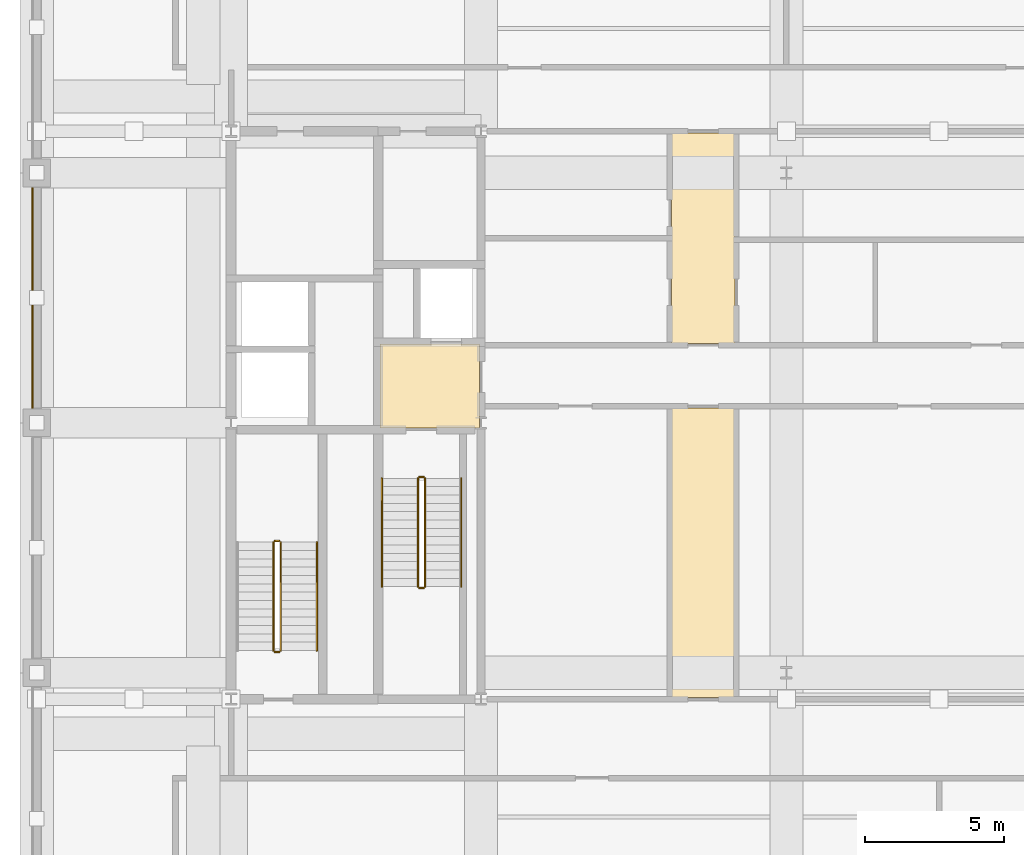
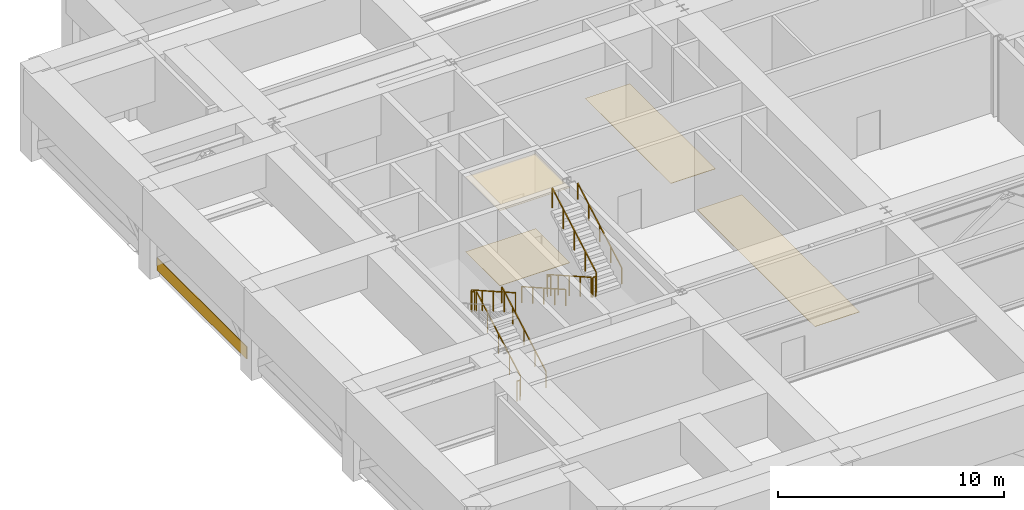
# One storey, part 7 of 9: 11 railings, 5 coverings.
"""IFC4 building model written with IfcOpenShell, lengths in metres."""

from ifc_helpers import new_model, si_unit, direction, frame, frame_2d, origin, origin_2d, place, context, subcontext, project, spatial, polyline, rectangle, outline, extrude, material, layer, layer_set, type_object, element, save


model = new_model("IFC4")

# Units and contexts
model_context = context("Model", 3, precision=1e-05, world=origin(), true_north=direction((0.0, 1.0)))
body_context = subcontext(model_context, "Body", "Model", "MODEL_VIEW")
ifc_project = project(units=[si_unit("LENGTHUNIT", "METRE"), si_unit("AREAUNIT", "SQUARE_METRE"), si_unit("VOLUMEUNIT", "CUBIC_METRE"), si_unit("PLANEANGLEUNIT", "RADIAN"), si_unit("MASSUNIT", "GRAM", prefix="KILO")], contexts=[model_context])

# Site, building, storey
site_placement = place(None, origin())
site = spatial("IfcSite", under=ifc_project, at=site_placement, CompositionType="ELEMENT")
building_placement = place(site_placement, origin())
building = spatial("IfcBuilding", under=site, at=building_placement, Name="Zulmaris Gate Convention Tower", CompositionType="ELEMENT")
storey_placement = place(building_placement, frame((0.0, 0.0, 222.06005859375)))
storey = spatial("IfcBuildingStorey", under=building, at=storey_placement, Name="L58", CompositionType="ELEMENT", Elevation=222.06005859375)

# Coverings
ifc_material_1 = material(Name="Precast concrete C40/50", Category="concrete")
ifc_layer_1 = layer(ifc_material_1, 0.0400390625, Name="Precast concrete C40/50")
ifc_layer_set_1 = layer_set([ifc_layer_1], Name="Precast concrete C40/50")
covering_type_1 = type_object("IfcCoveringType", Name="CLAD-SPANDREL-PRECAST", PredefinedType="CLADDING", material=ifc_layer_set_1)
covering_1_placement = place(storey_placement, frame((-27.14990234375, 8.469970703125, 0.0), z_axis=(0.0, 0.0, 1.0), x_axis=(0.0, -1.0, 0.0)))
element("IfcCovering", 1, at=covering_1_placement, inside=storey, type_object=covering_type_1, Name="CLD-L58-W-2_0", PredefinedType="CLADDING", context=body_context, shape_type="SweptSolid", body=[
    extrude(rectangle(XDim=7.93994140625, YDim=0.0400390625, at=frame_2d((3.969970703125, 0.0))), origin(), (0.0, 0.0, 1.0), 0.679931640625),
])
ifc_material_2 = material(Name="Mineral Fibre Acoustic Ceiling Tile")
ifc_layer_2 = layer(ifc_material_2, 0.02001953125, Name="Mineral Fibre Acoustic Ceiling Tile")
ifc_layer_set_2 = layer_set([ifc_layer_2], Name="Mineral Fibre Acoustic Ceiling Tile")
covering_type_2 = type_object("IfcCoveringType", Name="CLG-ACOUSTIC-600", PredefinedType="CEILING", material=ifc_layer_set_2)
covering_2_placement = place(storey_placement, frame((0.0, 0.0, 4.054931640625)))
element("IfcCovering", 2, at=covering_2_placement, inside=storey, type_object=covering_type_2, Name="CLG-L58-R03", PredefinedType="CEILING", context=body_context, shape_type="SweptSolid", body=[
    extrude(outline(polyline([(-14.639892578125, -0.18994140625), (-11.06005859375, -0.18994140625), (-11.06005859375, 2.840087890625), (-14.639892578125, 2.840087890625), (-14.639892578125, -0.18994140625)])), origin(), (0.0, 0.0, 1.0), 0.02001953125),
])
ifc_material_3 = material(Name="Woven Acoustic Wool Carpet Tile")
ifc_layer_3 = layer(ifc_material_3, 0.02001953125, Name="Woven Acoustic Wool Carpet Tile")
ifc_layer_set_3 = layer_set([ifc_layer_3], Name="Woven Acoustic Wool Carpet Tile")
covering_type_3 = type_object("IfcCoveringType", Name="FLR-CARPET-12", PredefinedType="FLOORING", material=ifc_layer_set_3)
covering_3_placement = place(storey_placement, origin())
element("IfcCovering", 3, at=covering_3_placement, inside=storey, type_object=covering_type_3, Name="FLR-L58-R03", PredefinedType="FLOORING", context=body_context, shape_type="SweptSolid", body=[
    extrude(outline(polyline([(-14.639892578125, -0.18994140625), (-11.06005859375, -0.18994140625), (-11.06005859375, 2.840087890625), (-14.639892578125, 2.840087890625), (-14.639892578125, -0.18994140625)])), origin(), (0.0, 0.0, 1.0), 0.02001953125),
])
covering_4_placement = place(storey_placement, origin())
element("IfcCovering", 4, at=covering_4_placement, inside=storey, type_object=covering_type_3, Name="FLR-L58-R24", PredefinedType="FLOORING", context=body_context, shape_type="SweptSolid", body=[
    extrude(outline(polyline([(-4.139892578125, 2.860107421875), (-1.860107421875, 2.860107421875), (-1.860107421875, 10.43994140625), (-4.139892578125, 10.43994140625), (-4.139892578125, 2.860107421875)])), origin(), (0.0, 0.0, 1.0), 0.02001953125),
])
covering_5_placement = place(storey_placement, origin())
element("IfcCovering", 5, at=covering_5_placement, inside=storey, type_object=covering_type_3, Name="FLR-L58-R25", PredefinedType="FLOORING", context=body_context, shape_type="SweptSolid", body=[
    extrude(outline(polyline([(-4.139892578125, -9.889892578125), (-1.860107421875, -9.889892578125), (-1.860107421875, 0.5400390625), (-4.139892578125, 0.5400390625), (-4.139892578125, -9.889892578125)])), origin(), (0.0, 0.0, 1.0), 0.02001953125),
])

# Railings
ifc_material_4 = material(Name="Painted Galvanised Steel", Category="steel")
railing_type_1 = type_object("IfcRailingType", Name="RL-STG-1150", PredefinedType="GUARDRAIL", material=ifc_material_4)
railing_1_placement = place(storey_placement, frame((-13.27001953125, -2.0, 0.169921875)))
element("IfcRailing", 6, at=railing_1_placement, inside=storey, type_object=railing_type_1, Name="L58 ST-1 stair guard 1", PredefinedType="GUARDRAIL", context=body_context, shape_type="SweptSolid", body=[
    extrude(rectangle(XDim=0.048095703125, YDim=0.048095703125, at=origin_2d()), frame((0.0, 0.0, 1.076171875), z_axis=(0.0, -0.869997266274, 0.49305654511), x_axis=(1.0, 0.0, 0.0)), (0.0, 0.0, 1.0), 4.482666015625),
    extrude(rectangle(XDim=0.0419921875, YDim=0.0419921875, at=origin_2d()), origin(), (0.0, 0.0, 1.0), 1.052001953125),
    extrude(rectangle(XDim=0.0419921875, YDim=0.0419921875, at=origin_2d()), frame((0.0, -0.97509765625, 0.552490234375)), (0.0, 0.0, 1.0), 1.052001953125),
    extrude(rectangle(XDim=0.0419921875, YDim=0.0419921875, at=origin_2d()), frame((0.0, -1.949951171875, 1.10498046875)), (0.0, 0.0, 1.0), 1.052001953125),
    extrude(rectangle(XDim=0.0419921875, YDim=0.0419921875, at=origin_2d()), frame((0.0, -2.9248046875, 1.65771484375)), (0.0, 0.0, 1.0), 1.052001953125),
    extrude(rectangle(XDim=0.0419921875, YDim=0.0419921875, at=origin_2d()), frame((0.0, -3.89990234375, 2.210205078125)), (0.0, 0.0, 1.0), 1.052001953125),
])
railing_2_placement = place(storey_placement, frame((-13.219970703125, -5.949951171875, 2.380126953125)))
element("IfcRailing", 7, at=railing_2_placement, inside=storey, type_object=railing_type_1, Name="L58 ST-1 stair guard 2", PredefinedType="GUARDRAIL", context=body_context, shape_type="SweptSolid", body=[
    extrude(rectangle(XDim=0.048095703125, YDim=0.048095703125, at=origin_2d()), frame((0.0, 0.0, 1.076171875), z_axis=(1.0, 0.0, 0.0), x_axis=(0.0, 1.0, 0.0)), (0.0, 0.0, 1.0), 0.159912109375),
    extrude(rectangle(XDim=0.0419921875, YDim=0.0419921875, at=origin_2d()), origin(), (0.0, 0.0, 1.0), 1.052001953125),
    extrude(rectangle(XDim=0.0419921875, YDim=0.0419921875, at=origin_2d()), frame((0.159912109375, 0.0, 0.0)), (0.0, 0.0, 1.0), 1.052001953125),
])
railing_3_placement = place(storey_placement, frame((-13.010009765625, -5.89990234375, 2.550048828125)))
element("IfcRailing", 8, at=railing_3_placement, inside=storey, type_object=railing_type_1, Name="L58 ST-1 stair guard 3", PredefinedType="GUARDRAIL", context=body_context, shape_type="SweptSolid", body=[
    extrude(rectangle(XDim=0.048095703125, YDim=0.048095703125, at=origin_2d()), frame((0.0, 0.0, 1.076171875), z_axis=(0.0, 0.870020628399, 0.493015320412), x_axis=(-1.0, 0.0, 0.0)), (0.0, 0.0, 1.0), 4.482421875),
    extrude(rectangle(XDim=0.0419921875, YDim=0.0419921875, at=origin_2d()), origin(), (0.0, 0.0, 1.0), 1.052001953125),
    extrude(rectangle(XDim=0.0419921875, YDim=0.0419921875, at=origin_2d()), frame((0.0, 0.97509765625, 0.552490234375)), (0.0, 0.0, 1.0), 1.052001953125),
    extrude(rectangle(XDim=0.0419921875, YDim=0.0419921875, at=origin_2d()), frame((0.0, 1.949951171875, 1.10498046875)), (0.0, 0.0, 1.0), 1.052001953125),
    extrude(rectangle(XDim=0.0419921875, YDim=0.0419921875, at=origin_2d()), frame((0.0, 2.9248046875, 1.657470703125)), (0.0, 0.0, 1.0), 1.052001953125),
    extrude(rectangle(XDim=0.0419921875, YDim=0.0419921875, at=origin_2d()), frame((0.0, 3.89990234375, 2.2099609375)), (0.0, 0.0, 1.0), 1.052001953125),
])
railing_4_placement = place(storey_placement, frame((-13.219970703125, -1.949951171875, 0.0)))
element("IfcRailing", 9, at=railing_4_placement, inside=storey, type_object=railing_type_1, Name="L58 ST-1 stair guard 4", PredefinedType="GUARDRAIL", context=body_context, shape_type="SweptSolid", body=[
    extrude(rectangle(XDim=0.048095703125, YDim=0.048095703125, at=origin_2d()), frame((0.0, 0.0, 1.076171875), z_axis=(1.0, 0.0, 0.0), x_axis=(0.0, 1.0, 0.0)), (0.0, 0.0, 1.0), 0.159912109375),
    extrude(rectangle(XDim=0.0419921875, YDim=0.0419921875, at=origin_2d()), origin(), (0.0, 0.0, 1.0), 1.052001953125),
    extrude(rectangle(XDim=0.0419921875, YDim=0.0419921875, at=origin_2d()), frame((0.159912109375, 0.0, 0.0)), (0.0, 0.0, 1.0), 1.052001953125),
])
railing_5_placement = place(storey_placement, frame((-18.2099609375, -8.199951171875, 0.169921875)))
element("IfcRailing", 10, at=railing_5_placement, inside=storey, type_object=railing_type_1, Name="L58 ST-3 stair guard 1", PredefinedType="GUARDRAIL", context=body_context, shape_type="SweptSolid", body=[
    extrude(rectangle(XDim=0.048095703125, YDim=0.048095703125, at=origin_2d()), frame((0.0, 0.0, 1.076171875), z_axis=(0.0, 0.869997266274, 0.49305654511), x_axis=(-1.0, 0.0, 0.0)), (0.0, 0.0, 1.0), 4.482666015625),
    extrude(rectangle(XDim=0.0419921875, YDim=0.0419921875, at=origin_2d()), origin(), (0.0, 0.0, 1.0), 1.052001953125),
    extrude(rectangle(XDim=0.0419921875, YDim=0.0419921875, at=origin_2d()), frame((0.0, 0.97509765625, 0.552490234375)), (0.0, 0.0, 1.0), 1.052001953125),
    extrude(rectangle(XDim=0.0419921875, YDim=0.0419921875, at=origin_2d()), frame((0.0, 1.949951171875, 1.10498046875)), (0.0, 0.0, 1.0), 1.052001953125),
    extrude(rectangle(XDim=0.0419921875, YDim=0.0419921875, at=origin_2d()), frame((0.0, 2.9248046875, 1.65771484375)), (0.0, 0.0, 1.0), 1.052001953125),
    extrude(rectangle(XDim=0.0419921875, YDim=0.0419921875, at=origin_2d()), frame((0.0, 3.89990234375, 2.210205078125)), (0.0, 0.0, 1.0), 1.052001953125),
])
railing_6_placement = place(storey_placement, frame((-18.260009765625, -4.25, 2.380126953125)))
element("IfcRailing", 11, at=railing_6_placement, inside=storey, type_object=railing_type_1, Name="L58 ST-3 stair guard 2", PredefinedType="GUARDRAIL", context=body_context, shape_type="SweptSolid", body=[
    extrude(rectangle(XDim=0.048095703125, YDim=0.048095703125, at=origin_2d()), frame((0.0, 0.0, 1.076171875), z_axis=(-1.0, 0.0, 0.0), x_axis=(0.0, -1.0, 0.0)), (0.0, 0.0, 1.0), 0.159912109375),
    extrude(rectangle(XDim=0.0419921875, YDim=0.0419921875, at=origin_2d()), origin(), (0.0, 0.0, 1.0), 1.052001953125),
    extrude(rectangle(XDim=0.0419921875, YDim=0.0419921875, at=origin_2d()), frame((-0.159912109375, 0.0, 0.0)), (0.0, 0.0, 1.0), 1.052001953125),
])
railing_7_placement = place(storey_placement, frame((-18.469970703125, -4.300048828125, 2.550048828125)))
element("IfcRailing", 12, at=railing_7_placement, inside=storey, type_object=railing_type_1, Name="L58 ST-3 stair guard 3", PredefinedType="GUARDRAIL", context=body_context, shape_type="SweptSolid", body=[
    extrude(rectangle(XDim=0.048095703125, YDim=0.048095703125, at=origin_2d()), frame((0.0, 0.0, 1.076171875), z_axis=(0.0, -0.870020628399, 0.493015320412), x_axis=(1.0, 0.0, 0.0)), (0.0, 0.0, 1.0), 4.482421875),
    extrude(rectangle(XDim=0.0419921875, YDim=0.0419921875, at=origin_2d()), origin(), (0.0, 0.0, 1.0), 1.052001953125),
    extrude(rectangle(XDim=0.0419921875, YDim=0.0419921875, at=origin_2d()), frame((0.0, -0.97509765625, 0.552490234375)), (0.0, 0.0, 1.0), 1.052001953125),
    extrude(rectangle(XDim=0.0419921875, YDim=0.0419921875, at=origin_2d()), frame((0.0, -1.949951171875, 1.10498046875)), (0.0, 0.0, 1.0), 1.052001953125),
    extrude(rectangle(XDim=0.0419921875, YDim=0.0419921875, at=origin_2d()), frame((0.0, -2.9248046875, 1.657470703125)), (0.0, 0.0, 1.0), 1.052001953125),
    extrude(rectangle(XDim=0.0419921875, YDim=0.0419921875, at=origin_2d()), frame((0.0, -3.89990234375, 2.2099609375)), (0.0, 0.0, 1.0), 1.052001953125),
])
railing_8_placement = place(storey_placement, frame((-18.260009765625, -8.25, 0.0)))
element("IfcRailing", 13, at=railing_8_placement, inside=storey, type_object=railing_type_1, Name="L58 ST-3 stair guard 4", PredefinedType="GUARDRAIL", context=body_context, shape_type="SweptSolid", body=[
    extrude(rectangle(XDim=0.048095703125, YDim=0.048095703125, at=origin_2d()), frame((0.0, 0.0, 1.076171875), z_axis=(-1.0, 0.0, 0.0), x_axis=(0.0, -1.0, 0.0)), (0.0, 0.0, 1.0), 0.159912109375),
    extrude(rectangle(XDim=0.0419921875, YDim=0.0419921875, at=origin_2d()), origin(), (0.0, 0.0, 1.0), 1.052001953125),
    extrude(rectangle(XDim=0.0419921875, YDim=0.0419921875, at=origin_2d()), frame((-0.159912109375, 0.0, 0.0)), (0.0, 0.0, 1.0), 1.052001953125),
])
ifc_material_5 = material(Name="Brushed Stainless Steel", Category="steel")
railing_type_2 = type_object("IfcRailingType", Name="RL-STH-900", PredefinedType="HANDRAIL", material=ifc_material_5)
railing_9_placement = place(storey_placement, frame((-14.570068359375, -2.0, 0.169921875)))
element("IfcRailing", 14, at=railing_9_placement, inside=storey, type_object=railing_type_2, Name="L58 ST-1 stair handrail 1", PredefinedType="HANDRAIL", context=body_context, shape_type="SweptSolid", body=[
    extrude(rectangle(XDim=0.048095703125, YDim=0.048095703125, at=origin_2d()), frame((0.0, 0.0, 0.8759765625), z_axis=(0.0, -0.869997266274, 0.49305654511), x_axis=(1.0, 0.0, 0.0)), (0.0, 0.0, 1.0), 4.482666015625),
    extrude(rectangle(XDim=0.0419921875, YDim=0.0419921875, at=origin_2d()), origin(), (0.0, 0.0, 1.0), 0.851806640625),
    extrude(rectangle(XDim=0.0419921875, YDim=0.0419921875, at=origin_2d()), frame((0.0, -0.97509765625, 0.552490234375)), (0.0, 0.0, 1.0), 0.851806640625),
    extrude(rectangle(XDim=0.0419921875, YDim=0.0419921875, at=origin_2d()), frame((0.0, -1.949951171875, 1.10498046875)), (0.0, 0.0, 1.0), 0.851806640625),
    extrude(rectangle(XDim=0.0419921875, YDim=0.0419921875, at=origin_2d()), frame((0.0, -2.9248046875, 1.65771484375)), (0.0, 0.0, 1.0), 0.851806640625),
    extrude(rectangle(XDim=0.0419921875, YDim=0.0419921875, at=origin_2d()), frame((0.0, -3.89990234375, 2.210205078125)), (0.0, 0.0, 1.0), 0.851806640625),
])
railing_10_placement = place(storey_placement, frame((-11.7099609375, -5.89990234375, 2.550048828125)))
element("IfcRailing", 15, at=railing_10_placement, inside=storey, type_object=railing_type_2, Name="L58 ST-1 stair handrail 2", PredefinedType="HANDRAIL", context=body_context, shape_type="SweptSolid", body=[
    extrude(rectangle(XDim=0.048095703125, YDim=0.048095703125, at=origin_2d()), frame((0.0, 0.0, 0.8759765625), z_axis=(0.0, 0.870020628399, 0.493015320412), x_axis=(-1.0, 0.0, 0.0)), (0.0, 0.0, 1.0), 4.482421875),
    extrude(rectangle(XDim=0.0419921875, YDim=0.0419921875, at=origin_2d()), origin(), (0.0, 0.0, 1.0), 0.851806640625),
    extrude(rectangle(XDim=0.0419921875, YDim=0.0419921875, at=origin_2d()), frame((0.0, 0.97509765625, 0.552490234375)), (0.0, 0.0, 1.0), 0.851806640625),
    extrude(rectangle(XDim=0.0419921875, YDim=0.0419921875, at=origin_2d()), frame((0.0, 1.949951171875, 1.10498046875)), (0.0, 0.0, 1.0), 0.851806640625),
    extrude(rectangle(XDim=0.0419921875, YDim=0.0419921875, at=origin_2d()), frame((0.0, 2.9248046875, 1.657470703125)), (0.0, 0.0, 1.0), 0.851806640625),
    extrude(rectangle(XDim=0.0419921875, YDim=0.0419921875, at=origin_2d()), frame((0.0, 3.89990234375, 2.2099609375)), (0.0, 0.0, 1.0), 0.851806640625),
])
railing_11_placement = place(storey_placement, frame((-16.909912109375, -8.199951171875, 0.169921875)))
element("IfcRailing", 16, at=railing_11_placement, inside=storey, type_object=railing_type_2, Name="L58 ST-3 stair handrail 1", PredefinedType="HANDRAIL", context=body_context, shape_type="SweptSolid", body=[
    extrude(rectangle(XDim=0.048095703125, YDim=0.048095703125, at=origin_2d()), frame((0.0, 0.0, 0.8759765625), z_axis=(0.0, 0.869997266274, 0.49305654511), x_axis=(-1.0, 0.0, 0.0)), (0.0, 0.0, 1.0), 4.482666015625),
    extrude(rectangle(XDim=0.0419921875, YDim=0.0419921875, at=origin_2d()), origin(), (0.0, 0.0, 1.0), 0.851806640625),
    extrude(rectangle(XDim=0.0419921875, YDim=0.0419921875, at=origin_2d()), frame((0.0, 0.97509765625, 0.552490234375)), (0.0, 0.0, 1.0), 0.851806640625),
    extrude(rectangle(XDim=0.0419921875, YDim=0.0419921875, at=origin_2d()), frame((0.0, 1.949951171875, 1.10498046875)), (0.0, 0.0, 1.0), 0.851806640625),
    extrude(rectangle(XDim=0.0419921875, YDim=0.0419921875, at=origin_2d()), frame((0.0, 2.9248046875, 1.65771484375)), (0.0, 0.0, 1.0), 0.851806640625),
    extrude(rectangle(XDim=0.0419921875, YDim=0.0419921875, at=origin_2d()), frame((0.0, 3.89990234375, 2.210205078125)), (0.0, 0.0, 1.0), 0.851806640625),
])

save(model, "model.ifc")
